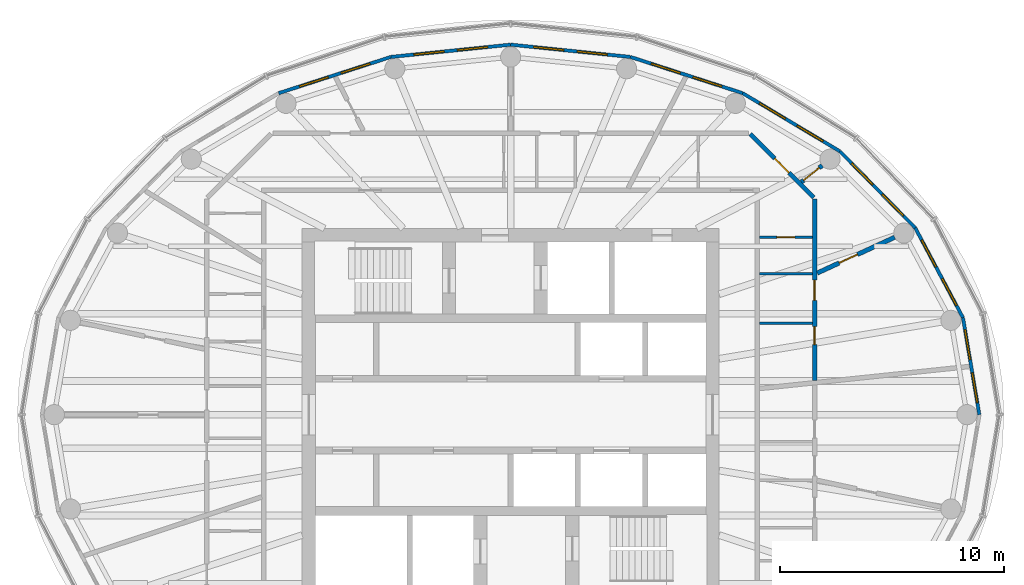
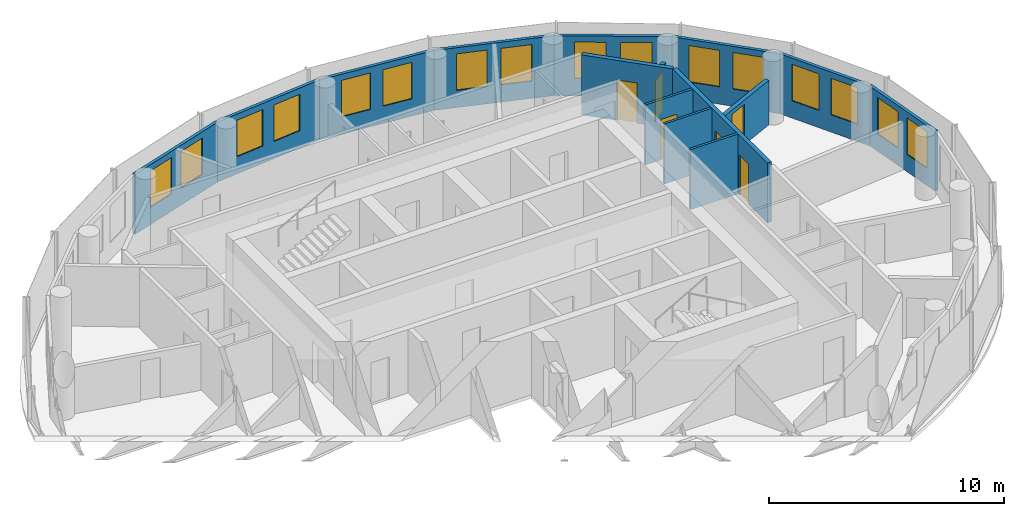
# One storey, part 9 of 11: 16 windows, 15 walls, 6 doors, 22 openings.
"""IFC4 building model written with IfcOpenShell, lengths in metres."""

from ifc_helpers import new_model, si_unit, direction, frame, frame_2d, origin, place, context, subcontext, project, spatial, rectangle, extrude, material, layer, layer_set, type_object, element, fill, save


model = new_model("IFC4")

# Units and contexts
model_context = context("Model", 3, precision=1e-05, world=origin(), true_north=direction((0.0, 1.0)))
body_context = subcontext(model_context, "Body", "Model", "MODEL_VIEW")
ifc_project = project(units=[si_unit("LENGTHUNIT", "METRE"), si_unit("AREAUNIT", "SQUARE_METRE"), si_unit("VOLUMEUNIT", "CUBIC_METRE"), si_unit("PLANEANGLEUNIT", "RADIAN"), si_unit("MASSUNIT", "GRAM", prefix="KILO")], contexts=[model_context])

# Site, building, storey
site_placement = place(None, origin())
site = spatial("IfcSite", under=ifc_project, at=site_placement, CompositionType="ELEMENT")
building_placement = place(site_placement, origin())
building = spatial("IfcBuilding", under=site, at=building_placement, Name="Hankou Lantern Tower", CompositionType="ELEMENT")
storey_placement = place(building_placement, frame((0.0, 0.0, 206.10009765625)))
storey = spatial("IfcBuildingStorey", under=building, at=storey_placement, Name="L55", CompositionType="ELEMENT", Elevation=206.10009765625)

# Wall, openings, windows
ifc_material_1 = material(Name="Aluminium spandrel panel on steel studs", Category="steel")
ifc_layer_1 = layer(ifc_material_1, 0.14990234375)
ifc_layer_set_1 = layer_set([ifc_layer_1], Name="Aluminium spandrel panel on steel studs")
wall_type_1 = type_object("IfcWallType", Name="EW1 INNER SKIN WALL 150", PredefinedType="ELEMENTEDWALL", material=ifc_layer_set_1)
wall_1_placement = place(storey_placement, frame((20.89990234375, 0.0, 0.0), z_axis=(0.0, 0.0, 1.0), x_axis=(-0.166538513568, 0.986034950445, 0.0)))
wall_1 = element("IfcWall", 1, at=wall_1_placement, inside=storey, type_object=wall_type_1, Name="Inner skin R01-R02 L55", PredefinedType="ELEMENTEDWALL", context=body_context, shape_type="SweptSolid", body=[
    extrude(rectangle(XDim=4.384765625, YDim=0.14990234375, at=frame_2d((2.1923828125, 0.0))), origin(), (0.0, 0.0, 1.0), 3.119873046875),
])
opening_1_placement = place(wall_1_placement, frame((0.54248046875, 0.0, 0.89990234375)))
opening_1 = element("IfcOpeningElement", 2, at=opening_1_placement, cuts=wall_1, Name="Opening W4", PredefinedType="OPENING", context=body_context, shape_type="SweptSolid", body=[
    extrude(rectangle(XDim=1.35009765625, YDim=1.89990234375, at=frame_2d((0.675048828125, 0.949951171875))), frame((0.0, 0.0849609375, 0.0), z_axis=(0.0, -1.0, 0.0), x_axis=(1.0, 0.0, 0.0)), (0.0, 0.0, 1.0), 0.169921875),
])
opening_2_placement = place(wall_1_placement, frame((2.492431640625, 0.0, 0.89990234375)))
opening_2 = element("IfcOpeningElement", 3, at=opening_2_placement, cuts=wall_1, Name="Opening W4", PredefinedType="OPENING", context=body_context, shape_type="SweptSolid", body=[
    extrude(rectangle(XDim=1.35009765625, YDim=1.89990234375, at=frame_2d((0.675048828125, 0.949951171875))), frame((0.0, 0.0849609375, 0.0), z_axis=(0.0, -1.0, 0.0), x_axis=(1.0, 0.0, 0.0)), (0.0, 0.0, 1.0), 0.169921875),
])
ifc_material_2 = material(Name="Aluminium framed double glazed window", Category="aluminium")
window_type = type_object("IfcWindowType", Name="W4 SUITE WINDOW 1350X1900", PartitioningType="DOUBLE_PANEL_VERTICAL", PredefinedType="WINDOW", material=ifc_material_2)
window_1_placement = place(opening_1_placement, origin())
window_1 = element("IfcWindow", 4, at=window_1_placement, inside=storey, type_object=window_type, Name="Window R01.1 L55", OverallHeight=1.89990234375, OverallWidth=1.35009765625, PartitioningType="SINGLE_PANEL", PredefinedType="WINDOW", context=body_context, shape_type="SweptSolid", body=[
    extrude(rectangle(XDim=1.35009765625, YDim=1.89990234375, at=frame_2d((0.675048828125, 0.949951171875))), frame((0.0, 0.030029296875, 0.0), z_axis=(0.0, -1.0, 0.0), x_axis=(1.0, 0.0, 0.0)), (0.0, 0.0, 1.0), 0.06005859375),
])
fill(opening_1, window_1)
window_2_placement = place(opening_2_placement, origin())
window_2 = element("IfcWindow", 5, at=window_2_placement, inside=storey, type_object=window_type, Name="Window R01.2 L55", OverallHeight=1.89990234375, OverallWidth=1.35009765625, PartitioningType="SINGLE_PANEL", PredefinedType="WINDOW", context=body_context, shape_type="SweptSolid", body=[
    extrude(rectangle(XDim=1.35009765625, YDim=1.89990234375, at=frame_2d((0.675048828125, 0.949951171875))), frame((0.0, 0.030029296875, 0.0), z_axis=(0.0, -1.0, 0.0), x_axis=(1.0, 0.0, 0.0)), (0.0, 0.0, 1.0), 0.06005859375),
])
fill(opening_2, window_2)

wall_2_placement = place(storey_placement, frame((20.169677734375, 4.323486328125, 0.0), z_axis=(0.0, 0.0, 1.0), x_axis=(-0.469256152955, 0.883062094597, 0.0)))
wall_2 = element("IfcWall", 6, at=wall_2_placement, inside=storey, type_object=wall_type_1, Name="Inner skin R02-R03 L55", PredefinedType="ELEMENTEDWALL", context=body_context, shape_type="SweptSolid", body=[
    extrude(rectangle(XDim=4.539306640625, YDim=0.14990234375, at=frame_2d((2.26953125, 0.0))), origin(), (0.0, 0.0, 1.0), 3.119873046875),
])
opening_3_placement = place(wall_2_placement, frame((0.61962890625, 0.0, 0.89990234375)))
opening_3 = element("IfcOpeningElement", 7, at=opening_3_placement, cuts=wall_2, Name="Opening W4", PredefinedType="OPENING", context=body_context, shape_type="SweptSolid", body=[
    extrude(rectangle(XDim=1.35009765625, YDim=1.89990234375, at=frame_2d((0.675048828125, 0.949951171875))), frame((0.0, 0.0849609375, 0.0), z_axis=(0.0, -1.0, 0.0), x_axis=(1.0, 0.0, 0.0)), (0.0, 0.0, 1.0), 0.169921875),
])
opening_4_placement = place(wall_2_placement, frame((2.569580078125, 0.0, 0.89990234375)))
opening_4 = element("IfcOpeningElement", 8, at=opening_4_placement, cuts=wall_2, Name="Opening W4", PredefinedType="OPENING", context=body_context, shape_type="SweptSolid", body=[
    extrude(rectangle(XDim=1.35009765625, YDim=1.89990234375, at=frame_2d((0.675048828125, 0.949951171875))), frame((0.0, 0.0849609375, 0.0), z_axis=(0.0, -1.0, 0.0), x_axis=(1.0, 0.0, 0.0)), (0.0, 0.0, 1.0), 0.169921875),
])
window_3_placement = place(opening_3_placement, origin())
window_3 = element("IfcWindow", 9, at=window_3_placement, inside=storey, type_object=window_type, Name="Window R02.1 L55", OverallHeight=1.89990234375, OverallWidth=1.35009765625, PartitioningType="SINGLE_PANEL", PredefinedType="WINDOW", context=body_context, shape_type="SweptSolid", body=[
    extrude(rectangle(XDim=1.35009765625, YDim=1.89990234375, at=frame_2d((0.675048828125, 0.949951171875))), frame((0.0, 0.030029296875, 0.0), z_axis=(0.0, -1.0, 0.0), x_axis=(1.0, 0.0, 0.0)), (0.0, 0.0, 1.0), 0.06005859375),
])
fill(opening_3, window_3)
window_4_placement = place(opening_4_placement, origin())
window_4 = element("IfcWindow", 10, at=window_4_placement, inside=storey, type_object=window_type, Name="Window R02.2 L55", OverallHeight=1.89990234375, OverallWidth=1.35009765625, PartitioningType="SINGLE_PANEL", PredefinedType="WINDOW", context=body_context, shape_type="SweptSolid", body=[
    extrude(rectangle(XDim=1.35009765625, YDim=1.89990234375, at=frame_2d((0.675048828125, 0.949951171875))), frame((0.0, 0.030029296875, 0.0), z_axis=(0.0, -1.0, 0.0), x_axis=(1.0, 0.0, 0.0)), (0.0, 0.0, 1.0), 0.06005859375),
])
fill(opening_4, window_4)

wall_3_placement = place(storey_placement, frame((18.03955078125, 8.33203125, 0.0), z_axis=(0.0, 0.0, 1.0), x_axis=(-0.701527379618, 0.712642501993, 0.0)))
wall_3 = element("IfcWall", 11, at=wall_3_placement, inside=storey, type_object=wall_type_1, Name="Inner skin R03-R04 L55", PredefinedType="ELEMENTEDWALL", context=body_context, shape_type="SweptSolid", body=[
    extrude(rectangle(XDim=4.788330078125, YDim=0.14990234375, at=frame_2d((2.39404296875, 0.0))), origin(), (0.0, 0.0, 1.0), 3.119873046875),
])
opening_5_placement = place(wall_3_placement, frame((0.744140625, 0.0, 0.89990234375)))
opening_5 = element("IfcOpeningElement", 12, at=opening_5_placement, cuts=wall_3, Name="Opening W4", PredefinedType="OPENING", context=body_context, shape_type="SweptSolid", body=[
    extrude(rectangle(XDim=1.35009765625, YDim=1.89990234375, at=frame_2d((0.675048828125, 0.949951171875))), frame((0.0, 0.0849609375, 0.0), z_axis=(0.0, -1.0, 0.0), x_axis=(1.0, 0.0, 0.0)), (0.0, 0.0, 1.0), 0.169921875),
])
opening_6_placement = place(wall_3_placement, frame((2.694091796875, 0.0, 0.89990234375)))
opening_6 = element("IfcOpeningElement", 13, at=opening_6_placement, cuts=wall_3, Name="Opening W4", PredefinedType="OPENING", context=body_context, shape_type="SweptSolid", body=[
    extrude(rectangle(XDim=1.35009765625, YDim=1.89990234375, at=frame_2d((0.675048828125, 0.949951171875))), frame((0.0, 0.0849609375, 0.0), z_axis=(0.0, -1.0, 0.0), x_axis=(1.0, 0.0, 0.0)), (0.0, 0.0, 1.0), 0.169921875),
])
window_5_placement = place(opening_5_placement, origin())
window_5 = element("IfcWindow", 14, at=window_5_placement, inside=storey, type_object=window_type, Name="Window R03.1 L55", OverallHeight=1.89990234375, OverallWidth=1.35009765625, PartitioningType="SINGLE_PANEL", PredefinedType="WINDOW", context=body_context, shape_type="SweptSolid", body=[
    extrude(rectangle(XDim=1.35009765625, YDim=1.89990234375, at=frame_2d((0.675048828125, 0.949951171875))), frame((0.0, 0.030029296875, 0.0), z_axis=(0.0, -1.0, 0.0), x_axis=(1.0, 0.0, 0.0)), (0.0, 0.0, 1.0), 0.06005859375),
])
fill(opening_5, window_5)
window_6_placement = place(opening_6_placement, origin())
window_6 = element("IfcWindow", 15, at=window_6_placement, inside=storey, type_object=window_type, Name="Window R03.2 L55", OverallHeight=1.89990234375, OverallWidth=1.35009765625, PartitioningType="SINGLE_PANEL", PredefinedType="WINDOW", context=body_context, shape_type="SweptSolid", body=[
    extrude(rectangle(XDim=1.35009765625, YDim=1.89990234375, at=frame_2d((0.675048828125, 0.949951171875))), frame((0.0, 0.030029296875, 0.0), z_axis=(0.0, -1.0, 0.0), x_axis=(1.0, 0.0, 0.0)), (0.0, 0.0, 1.0), 0.06005859375),
])
fill(opening_6, window_6)

wall_4_placement = place(storey_placement, frame((14.680419921875, 11.744384765625, 0.0), z_axis=(0.0, 0.0, 1.0), x_axis=(-0.85822150553, 0.513279502265, 0.0)))
wall_4 = element("IfcWall", 16, at=wall_4_placement, inside=storey, type_object=wall_type_1, Name="Inner skin R04-R05 L55", PredefinedType="ELEMENTEDWALL", context=body_context, shape_type="SweptSolid", body=[
    extrude(rectangle(XDim=5.050048828125, YDim=0.14990234375, at=frame_2d((2.52490234375, 0.0))), origin(), (0.0, 0.0, 1.0), 3.119873046875),
])
opening_7_placement = place(wall_4_placement, frame((0.875, 0.0, 0.89990234375)))
opening_7 = element("IfcOpeningElement", 17, at=opening_7_placement, cuts=wall_4, Name="Opening W4", PredefinedType="OPENING", context=body_context, shape_type="SweptSolid", body=[
    extrude(rectangle(XDim=1.35009765625, YDim=1.89990234375, at=frame_2d((0.675048828125, 0.949951171875))), frame((0.0, 0.0849609375, 0.0), z_axis=(0.0, -1.0, 0.0), x_axis=(1.0, 0.0, 0.0)), (0.0, 0.0, 1.0), 0.169921875),
])
opening_8_placement = place(wall_4_placement, frame((2.824951171875, 0.0, 0.89990234375)))
opening_8 = element("IfcOpeningElement", 18, at=opening_8_placement, cuts=wall_4, Name="Opening W4", PredefinedType="OPENING", context=body_context, shape_type="SweptSolid", body=[
    extrude(rectangle(XDim=1.35009765625, YDim=1.89990234375, at=frame_2d((0.675048828125, 0.949951171875))), frame((0.0, 0.0849609375, 0.0), z_axis=(0.0, -1.0, 0.0), x_axis=(1.0, 0.0, 0.0)), (0.0, 0.0, 1.0), 0.169921875),
])
window_7_placement = place(opening_7_placement, origin())
window_7 = element("IfcWindow", 19, at=window_7_placement, inside=storey, type_object=window_type, Name="Window R04.1 L55", OverallHeight=1.89990234375, OverallWidth=1.35009765625, PartitioningType="SINGLE_PANEL", PredefinedType="WINDOW", context=body_context, shape_type="SweptSolid", body=[
    extrude(rectangle(XDim=1.35009765625, YDim=1.89990234375, at=frame_2d((0.675048828125, 0.949951171875))), frame((0.0, 0.030029296875, 0.0), z_axis=(0.0, -1.0, 0.0), x_axis=(1.0, 0.0, 0.0)), (0.0, 0.0, 1.0), 0.06005859375),
])
fill(opening_7, window_7)
window_8_placement = place(opening_8_placement, origin())
window_8 = element("IfcWindow", 20, at=window_8_placement, inside=storey, type_object=window_type, Name="Window R04.2 L55", OverallHeight=1.89990234375, OverallWidth=1.35009765625, PartitioningType="SINGLE_PANEL", PredefinedType="WINDOW", context=body_context, shape_type="SweptSolid", body=[
    extrude(rectangle(XDim=1.35009765625, YDim=1.89990234375, at=frame_2d((0.675048828125, 0.949951171875))), frame((0.0, 0.030029296875, 0.0), z_axis=(0.0, -1.0, 0.0), x_axis=(1.0, 0.0, 0.0)), (0.0, 0.0, 1.0), 0.06005859375),
])
fill(opening_8, window_8)

wall_5_placement = place(storey_placement, frame((10.346435546875, 14.33642578125, 0.0), z_axis=(0.0, 0.0, 1.0), x_axis=(-0.951644702515, 0.307200846638, 0.0)))
wall_5 = element("IfcWall", 21, at=wall_5_placement, inside=storey, type_object=wall_type_1, Name="Inner skin R05-R06 L55", PredefinedType="ELEMENTEDWALL", context=body_context, shape_type="SweptSolid", body=[
    extrude(rectangle(XDim=5.2578125, YDim=0.14990234375, at=frame_2d((2.62890625, 0.0))), origin(), (0.0, 0.0, 1.0), 3.119873046875),
])
opening_9_placement = place(wall_5_placement, frame((0.97900390625, 0.0, 0.89990234375)))
opening_9 = element("IfcOpeningElement", 22, at=opening_9_placement, cuts=wall_5, Name="Opening W4", PredefinedType="OPENING", context=body_context, shape_type="SweptSolid", body=[
    extrude(rectangle(XDim=1.35009765625, YDim=1.89990234375, at=frame_2d((0.675048828125, 0.949951171875))), frame((0.0, 0.0849609375, 0.0), z_axis=(0.0, -1.0, 0.0), x_axis=(1.0, 0.0, 0.0)), (0.0, 0.0, 1.0), 0.169921875),
])
opening_10_placement = place(wall_5_placement, frame((2.928955078125, 0.0, 0.89990234375)))
opening_10 = element("IfcOpeningElement", 23, at=opening_10_placement, cuts=wall_5, Name="Opening W4", PredefinedType="OPENING", context=body_context, shape_type="SweptSolid", body=[
    extrude(rectangle(XDim=1.35009765625, YDim=1.89990234375, at=frame_2d((0.675048828125, 0.949951171875))), frame((0.0, 0.0849609375, 0.0), z_axis=(0.0, -1.0, 0.0), x_axis=(1.0, 0.0, 0.0)), (0.0, 0.0, 1.0), 0.169921875),
])
window_9_placement = place(opening_9_placement, origin())
window_9 = element("IfcWindow", 24, at=window_9_placement, inside=storey, type_object=window_type, Name="Window R05.1 L55", OverallHeight=1.89990234375, OverallWidth=1.35009765625, PartitioningType="SINGLE_PANEL", PredefinedType="WINDOW", context=body_context, shape_type="SweptSolid", body=[
    extrude(rectangle(XDim=1.35009765625, YDim=1.89990234375, at=frame_2d((0.675048828125, 0.949951171875))), frame((0.0, 0.030029296875, 0.0), z_axis=(0.0, -1.0, 0.0), x_axis=(1.0, 0.0, 0.0)), (0.0, 0.0, 1.0), 0.06005859375),
])
fill(opening_9, window_9)
window_10_placement = place(opening_10_placement, origin())
window_10 = element("IfcWindow", 25, at=window_10_placement, inside=storey, type_object=window_type, Name="Window R05.2 L55", OverallHeight=1.89990234375, OverallWidth=1.35009765625, PartitioningType="SINGLE_PANEL", PredefinedType="WINDOW", context=body_context, shape_type="SweptSolid", body=[
    extrude(rectangle(XDim=1.35009765625, YDim=1.89990234375, at=frame_2d((0.675048828125, 0.949951171875))), frame((0.0, 0.030029296875, 0.0), z_axis=(0.0, -1.0, 0.0), x_axis=(1.0, 0.0, 0.0)), (0.0, 0.0, 1.0), 0.06005859375),
])
fill(opening_10, window_10)

wall_6_placement = place(storey_placement, frame((5.3427734375, 15.95166015625, 0.0), z_axis=(0.0, 0.0, 1.0), x_axis=(-0.994774574972, 0.102095763818, 0.0)))
wall_6 = element("IfcWall", 26, at=wall_6_placement, inside=storey, type_object=wall_type_1, Name="Inner skin R06-R07 L55", PredefinedType="ELEMENTEDWALL", context=body_context, shape_type="SweptSolid", body=[
    extrude(rectangle(XDim=5.370849609375, YDim=0.14990234375, at=frame_2d((2.685546875, 0.0))), origin(), (0.0, 0.0, 1.0), 3.119873046875),
])
opening_11_placement = place(wall_6_placement, frame((1.035400390625, 0.0, 0.89990234375)))
opening_11 = element("IfcOpeningElement", 27, at=opening_11_placement, cuts=wall_6, Name="Opening W4", PredefinedType="OPENING", context=body_context, shape_type="SweptSolid", body=[
    extrude(rectangle(XDim=1.35009765625, YDim=1.89990234375, at=frame_2d((0.675048828125, 0.949951171875))), frame((0.0, 0.0849609375, 0.0), z_axis=(0.0, -1.0, 0.0), x_axis=(1.0, 0.0, 0.0)), (0.0, 0.0, 1.0), 0.169921875),
])
opening_12_placement = place(wall_6_placement, frame((2.9853515625, 0.0, 0.89990234375)))
opening_12 = element("IfcOpeningElement", 28, at=opening_12_placement, cuts=wall_6, Name="Opening W4", PredefinedType="OPENING", context=body_context, shape_type="SweptSolid", body=[
    extrude(rectangle(XDim=1.35009765625, YDim=1.89990234375, at=frame_2d((0.675048828125, 0.949951171875))), frame((0.0, 0.0849609375, 0.0), z_axis=(0.0, -1.0, 0.0), x_axis=(1.0, 0.0, 0.0)), (0.0, 0.0, 1.0), 0.169921875),
])
window_11_placement = place(opening_11_placement, origin())
window_11 = element("IfcWindow", 29, at=window_11_placement, inside=storey, type_object=window_type, Name="Window R06.1 L55", OverallHeight=1.89990234375, OverallWidth=1.35009765625, PartitioningType="SINGLE_PANEL", PredefinedType="WINDOW", context=body_context, shape_type="SweptSolid", body=[
    extrude(rectangle(XDim=1.35009765625, YDim=1.89990234375, at=frame_2d((0.675048828125, 0.949951171875))), frame((0.0, 0.030029296875, 0.0), z_axis=(0.0, -1.0, 0.0), x_axis=(1.0, 0.0, 0.0)), (0.0, 0.0, 1.0), 0.06005859375),
])
fill(opening_11, window_11)
window_12_placement = place(opening_12_placement, origin())
window_12 = element("IfcWindow", 30, at=window_12_placement, inside=storey, type_object=window_type, Name="Window R06.2 L55", OverallHeight=1.89990234375, OverallWidth=1.35009765625, PartitioningType="SINGLE_PANEL", PredefinedType="WINDOW", context=body_context, shape_type="SweptSolid", body=[
    extrude(rectangle(XDim=1.35009765625, YDim=1.89990234375, at=frame_2d((0.675048828125, 0.949951171875))), frame((0.0, 0.030029296875, 0.0), z_axis=(0.0, -1.0, 0.0), x_axis=(1.0, 0.0, 0.0)), (0.0, 0.0, 1.0), 0.06005859375),
])
fill(opening_12, window_12)

wall_7_placement = place(storey_placement, frame((0.0, 16.5, 0.0), z_axis=(0.0, 0.0, 1.0), x_axis=(-0.994774574972, -0.102095763818, 0.0)))
wall_7 = element("IfcWall", 31, at=wall_7_placement, inside=storey, type_object=wall_type_1, Name="Inner skin R07-R08 L55", PredefinedType="ELEMENTEDWALL", context=body_context, shape_type="SweptSolid", body=[
    extrude(rectangle(XDim=5.370849609375, YDim=0.14990234375, at=frame_2d((2.685546875, 0.0))), origin(), (0.0, 0.0, 1.0), 3.119873046875),
])
opening_13_placement = place(wall_7_placement, frame((1.035400390625, 0.0, 0.89990234375)))
opening_13 = element("IfcOpeningElement", 32, at=opening_13_placement, cuts=wall_7, Name="Opening W4", PredefinedType="OPENING", context=body_context, shape_type="SweptSolid", body=[
    extrude(rectangle(XDim=1.35009765625, YDim=1.89990234375, at=frame_2d((0.675048828125, 0.949951171875))), frame((0.0, 0.0849609375, 0.0), z_axis=(0.0, -1.0, 0.0), x_axis=(1.0, 0.0, 0.0)), (0.0, 0.0, 1.0), 0.169921875),
])
opening_14_placement = place(wall_7_placement, frame((2.9853515625, 0.0, 0.89990234375)))
opening_14 = element("IfcOpeningElement", 33, at=opening_14_placement, cuts=wall_7, Name="Opening W4", PredefinedType="OPENING", context=body_context, shape_type="SweptSolid", body=[
    extrude(rectangle(XDim=1.35009765625, YDim=1.89990234375, at=frame_2d((0.675048828125, 0.949951171875))), frame((0.0, 0.0849609375, 0.0), z_axis=(0.0, -1.0, 0.0), x_axis=(1.0, 0.0, 0.0)), (0.0, 0.0, 1.0), 0.169921875),
])
window_13_placement = place(opening_13_placement, origin())
window_13 = element("IfcWindow", 34, at=window_13_placement, inside=storey, type_object=window_type, Name="Window R07.1 L55", OverallHeight=1.89990234375, OverallWidth=1.35009765625, PartitioningType="SINGLE_PANEL", PredefinedType="WINDOW", context=body_context, shape_type="SweptSolid", body=[
    extrude(rectangle(XDim=1.35009765625, YDim=1.89990234375, at=frame_2d((0.675048828125, 0.949951171875))), frame((0.0, 0.030029296875, 0.0), z_axis=(0.0, -1.0, 0.0), x_axis=(1.0, 0.0, 0.0)), (0.0, 0.0, 1.0), 0.06005859375),
])
fill(opening_13, window_13)
window_14_placement = place(opening_14_placement, origin())
window_14 = element("IfcWindow", 35, at=window_14_placement, inside=storey, type_object=window_type, Name="Window R07.2 L55", OverallHeight=1.89990234375, OverallWidth=1.35009765625, PartitioningType="SINGLE_PANEL", PredefinedType="WINDOW", context=body_context, shape_type="SweptSolid", body=[
    extrude(rectangle(XDim=1.35009765625, YDim=1.89990234375, at=frame_2d((0.675048828125, 0.949951171875))), frame((0.0, 0.030029296875, 0.0), z_axis=(0.0, -1.0, 0.0), x_axis=(1.0, 0.0, 0.0)), (0.0, 0.0, 1.0), 0.06005859375),
])
fill(opening_14, window_14)

wall_8_placement = place(storey_placement, frame((-5.3427734375, 15.95166015625, 0.0), z_axis=(0.0, 0.0, 1.0), x_axis=(-0.951644702515, -0.307200846638, 0.0)))
wall_8 = element("IfcWall", 36, at=wall_8_placement, inside=storey, type_object=wall_type_1, Name="Inner skin R08-R09 L55", PredefinedType="ELEMENTEDWALL", context=body_context, shape_type="SweptSolid", body=[
    extrude(rectangle(XDim=5.2578125, YDim=0.14990234375, at=frame_2d((2.62890625, 0.0))), origin(), (0.0, 0.0, 1.0), 3.119873046875),
])
opening_15_placement = place(wall_8_placement, frame((0.97900390625, 0.0, 0.89990234375)))
opening_15 = element("IfcOpeningElement", 37, at=opening_15_placement, cuts=wall_8, Name="Opening W4", PredefinedType="OPENING", context=body_context, shape_type="SweptSolid", body=[
    extrude(rectangle(XDim=1.35009765625, YDim=1.89990234375, at=frame_2d((0.675048828125, 0.949951171875))), frame((0.0, 0.0849609375, 0.0), z_axis=(0.0, -1.0, 0.0), x_axis=(1.0, 0.0, 0.0)), (0.0, 0.0, 1.0), 0.169921875),
])
opening_16_placement = place(wall_8_placement, frame((2.928955078125, 0.0, 0.89990234375)))
opening_16 = element("IfcOpeningElement", 38, at=opening_16_placement, cuts=wall_8, Name="Opening W4", PredefinedType="OPENING", context=body_context, shape_type="SweptSolid", body=[
    extrude(rectangle(XDim=1.35009765625, YDim=1.89990234375, at=frame_2d((0.675048828125, 0.949951171875))), frame((0.0, 0.0849609375, 0.0), z_axis=(0.0, -1.0, 0.0), x_axis=(1.0, 0.0, 0.0)), (0.0, 0.0, 1.0), 0.169921875),
])
window_15_placement = place(opening_15_placement, origin())
window_15 = element("IfcWindow", 39, at=window_15_placement, inside=storey, type_object=window_type, Name="Window R08.1 L55", OverallHeight=1.89990234375, OverallWidth=1.35009765625, PartitioningType="SINGLE_PANEL", PredefinedType="WINDOW", context=body_context, shape_type="SweptSolid", body=[
    extrude(rectangle(XDim=1.35009765625, YDim=1.89990234375, at=frame_2d((0.675048828125, 0.949951171875))), frame((0.0, 0.030029296875, 0.0), z_axis=(0.0, -1.0, 0.0), x_axis=(1.0, 0.0, 0.0)), (0.0, 0.0, 1.0), 0.06005859375),
])
fill(opening_15, window_15)
window_16_placement = place(opening_16_placement, origin())
window_16 = element("IfcWindow", 40, at=window_16_placement, inside=storey, type_object=window_type, Name="Window R08.2 L55", OverallHeight=1.89990234375, OverallWidth=1.35009765625, PartitioningType="SINGLE_PANEL", PredefinedType="WINDOW", context=body_context, shape_type="SweptSolid", body=[
    extrude(rectangle(XDim=1.35009765625, YDim=1.89990234375, at=frame_2d((0.675048828125, 0.949951171875))), frame((0.0, 0.030029296875, 0.0), z_axis=(0.0, -1.0, 0.0), x_axis=(1.0, 0.0, 0.0)), (0.0, 0.0, 1.0), 0.06005859375),
])
fill(opening_16, window_16)

# Walls
ifc_material_3 = material(Name="Masonry lightweight concrete block", Category="masonry")
ifc_layer_2 = layer(ifc_material_3, 0.1201171875)
ifc_layer_set_2 = layer_set([ifc_layer_2], Name="Masonry lightweight concrete block")
wall_type_2 = type_object("IfcWallType", Name="IW3 BATHROOM WALL 120", PredefinedType="PARTITIONING", material=ifc_layer_set_2)
for number, where, z_axis, x_axis, name in (
    (41, (11.10009765625, 4.08154296875, 0.0), (0.0, 0.0, 1.0), (1.0, 0.0, 0.0), "Box wall 5501 1"),
    (42, (11.10009765625, 6.290283203125, 0.0), (0.0, 0.0, 1.0), (1.0, 0.0, 0.0), "Box wall 5501 2"),
):
    element("IfcWall", number, at=place(storey_placement, frame(where, z_axis=z_axis, x_axis=x_axis)), inside=storey, type_object=wall_type_2, Name=name, PredefinedType="PARTITIONING", context=body_context, shape_type="SweptSolid", body=[
        extrude(rectangle(XDim=2.349853515625, YDim=0.1201171875, at=frame_2d((1.1748046875, 0.0))), origin(), (0.0, 0.0, 1.0), 3.119873046875),
    ])

# Wall, opening, door
wall_9_placement = place(storey_placement, frame((11.10009765625, 7.91748046875, 0.0), z_axis=(0.0, 0.0, 1.0), x_axis=(1.0, 0.0, 0.0)))
wall_9 = element("IfcWall", 43, at=wall_9_placement, inside=storey, type_object=wall_type_2, Name="Box wall 5501 3", PredefinedType="PARTITIONING", context=body_context, shape_type="SweptSolid", body=[
    extrude(rectangle(XDim=2.349853515625, YDim=0.1201171875, at=frame_2d((1.1748046875, 0.0))), origin(), (0.0, 0.0, 1.0), 3.119873046875),
])
opening_17_placement = place(wall_9_placement, frame((0.77001953125, 0.0, 0.0)))
opening_17 = element("IfcOpeningElement", 44, at=opening_17_placement, cuts=wall_9, Name="Opening D3", PredefinedType="OPENING", context=body_context, shape_type="SweptSolid", body=[
    extrude(rectangle(XDim=0.800048828125, YDim=2.10009765625, at=frame_2d((0.39990234375, 1.050048828125))), frame((0.0, 0.070068359375, 0.0), z_axis=(0.0, -1.0, 0.0), x_axis=(1.0, 0.0, 0.0)), (0.0, 0.0, 1.0), 0.14013671875),
])
ifc_material_4 = material(Name="Timber door leaf", Category="wood")
door_type_1 = type_object("IfcDoorType", Name="D3 BATHROOM DOOR 800X2100", OperationType="SINGLE_SWING_LEFT", PredefinedType="DOOR", material=ifc_material_4)
door_1_placement = place(opening_17_placement, origin())
door_1 = element("IfcDoor", 45, at=door_1_placement, inside=storey, type_object=door_type_1, Name="Corner suite 5501 guest WC door", OperationType="SINGLE_SWING_LEFT", OverallHeight=2.10009765625, OverallWidth=0.800048828125, PredefinedType="DOOR", context=body_context, shape_type="SweptSolid", body=[
    extrude(rectangle(XDim=0.800048828125, YDim=2.10009765625, at=frame_2d((0.39990234375, 1.050048828125))), frame((0.0, 0.02490234375, 0.0), z_axis=(0.0, -1.0, 0.0), x_axis=(1.0, 0.0, 0.0)), (0.0, 0.0, 1.0), 0.050048828125),
])
fill(opening_17, door_1)

# Wall, openings, doors
ifc_material_5 = material(Name="Masonry lightweight concrete block", Category="masonry")
ifc_layer_3 = layer(ifc_material_5, 0.199951171875)
ifc_layer_set_3 = layer_set([ifc_layer_3], Name="Masonry lightweight concrete block")
wall_type_3 = type_object("IfcWallType", Name="IW6 SUITE PARTITION 200", PredefinedType="PARTITIONING", material=ifc_layer_set_3)
wall_10_placement = place(storey_placement, frame((13.550048828125, 1.52490234375, 0.0), z_axis=(0.0, 0.0, 1.0), x_axis=(0.0, 1.0, 0.0)))
wall_10 = element("IfcWall", 46, at=wall_10_placement, inside=storey, type_object=wall_type_3, Name="Suite foyer wall 5501", PredefinedType="PARTITIONING", context=body_context, shape_type="SweptSolid", body=[
    extrude(rectangle(XDim=8.083740234375, YDim=0.199951171875, at=frame_2d((4.0419921875, 0.0))), origin(), (0.0, 0.0, 1.0), 3.119873046875),
])
opening_18_placement = place(wall_10_placement, frame((1.5966796875, 0.0, 0.0)))
opening_18 = element("IfcOpeningElement", 47, at=opening_18_placement, cuts=wall_10, Name="Opening D3", PredefinedType="OPENING", context=body_context, shape_type="SweptSolid", body=[
    extrude(rectangle(XDim=0.800048828125, YDim=2.10009765625, at=frame_2d((0.39990234375, 1.050048828125))), frame((0.0, 0.10986328125, 0.0), z_axis=(0.0, -1.0, 0.0), x_axis=(1.0, 0.0, 0.0)), (0.0, 0.0, 1.0), 0.219970703125),
])
opening_19_placement = place(wall_10_placement, frame((3.570068359375, 0.0, 0.0)))
opening_19 = element("IfcOpeningElement", 48, at=opening_19_placement, cuts=wall_10, Name="Opening D27", PredefinedType="OPENING", context=body_context, shape_type="SweptSolid", body=[
    extrude(rectangle(XDim=0.89990234375, YDim=2.10009765625, at=frame_2d((0.449951171875, 1.050048828125))), frame((0.0, 0.10986328125, 0.0), z_axis=(0.0, -1.0, 0.0), x_axis=(1.0, 0.0, 0.0)), (0.0, 0.0, 1.0), 0.219970703125),
])
ifc_material_6 = material(Name="Timber door leaf", Category="wood")
door_type_2 = type_object("IfcDoorType", Name="D27 INTERNAL DOOR 900X2100", OperationType="SINGLE_SWING_LEFT", PredefinedType="DOOR", material=ifc_material_6)
door_2_placement = place(opening_19_placement, origin())
door_2 = element("IfcDoor", 49, at=door_2_placement, inside=storey, type_object=door_type_2, Name="Corner suite 5501 walk-in wardrobe door", OperationType="SINGLE_SWING_RIGHT", OverallHeight=2.10009765625, OverallWidth=0.89990234375, PredefinedType="DOOR", context=body_context, shape_type="SweptSolid", body=[
    extrude(rectangle(XDim=0.89990234375, YDim=2.10009765625, at=frame_2d((0.449951171875, 1.050048828125))), frame((0.0, 0.02490234375, 0.0), z_axis=(0.0, -1.0, 0.0), x_axis=(1.0, 0.0, 0.0)), (0.0, 0.0, 1.0), 0.050048828125),
])
fill(opening_19, door_2)
door_3_placement = place(opening_18_placement, origin())
door_3 = element("IfcDoor", 50, at=door_3_placement, inside=storey, type_object=door_type_1, Name="Corner suite 5501 bathroom door", OperationType="SINGLE_SWING_RIGHT", OverallHeight=2.10009765625, OverallWidth=0.800048828125, PredefinedType="DOOR", context=body_context, shape_type="SweptSolid", body=[
    extrude(rectangle(XDim=0.800048828125, YDim=2.10009765625, at=frame_2d((0.39990234375, 1.050048828125))), frame((0.0, 0.02490234375, 0.0), z_axis=(0.0, -1.0, 0.0), x_axis=(1.0, 0.0, 0.0)), (0.0, 0.0, 1.0), 0.050048828125),
])
fill(opening_18, door_3)

# Wall, opening, door
wall_11_placement = place(storey_placement, frame((13.520751953125, 9.67919921875, 0.0), z_axis=(0.0, 0.0, 1.0), x_axis=(-0.707106781187, 0.707106781187, 0.0)))
wall_11 = element("IfcWall", 51, at=wall_11_placement, inside=storey, type_object=wall_type_3, Name="Suite foyer wall 5501", PredefinedType="PARTITIONING", context=body_context, shape_type="SweptSolid", body=[
    extrude(rectangle(XDim=4.0185546875, YDim=0.199951171875, at=frame_2d((2.00927734375, 0.0))), origin(), (0.0, 0.0, 1.0), 3.119873046875),
])
opening_20_placement = place(wall_11_placement, frame((1.570068359375, 0.0, 0.0)))
opening_20 = element("IfcOpeningElement", 52, at=opening_20_placement, cuts=wall_11, Name="Opening D27", PredefinedType="OPENING", context=body_context, shape_type="SweptSolid", body=[
    extrude(rectangle(XDim=0.89990234375, YDim=2.10009765625, at=frame_2d((0.449951171875, 1.050048828125))), frame((0.0, 0.10986328125, 0.0), z_axis=(0.0, -1.0, 0.0), x_axis=(1.0, 0.0, 0.0)), (0.0, 0.0, 1.0), 0.219970703125),
])
door_4_placement = place(opening_20_placement, origin())
door_4 = element("IfcDoor", 53, at=door_4_placement, inside=storey, type_object=door_type_2, Name="Corner suite 5501 living room door", OperationType="SINGLE_SWING_RIGHT", OverallHeight=2.10009765625, OverallWidth=0.89990234375, PredefinedType="DOOR", context=body_context, shape_type="SweptSolid", body=[
    extrude(rectangle(XDim=0.89990234375, YDim=2.10009765625, at=frame_2d((0.449951171875, 1.050048828125))), frame((0.0, 0.02490234375, 0.0), z_axis=(0.0, -1.0, 0.0), x_axis=(1.0, 0.0, 0.0)), (0.0, 0.0, 1.0), 0.050048828125),
])
fill(opening_20, door_4)

wall_12_placement = place(storey_placement, frame((13.67724609375, 6.317138671875, 0.0), z_axis=(0.0, 0.0, 1.0), x_axis=(0.907825704695, 0.419347695708, 0.0)))
wall_12 = element("IfcWall", 54, at=wall_12_placement, inside=storey, type_object=wall_type_3, Name="Suite partition R03", PredefinedType="PARTITIONING", context=body_context, shape_type="SweptSolid", body=[
    extrude(rectangle(XDim=3.79638671875, YDim=0.199951171875, at=frame_2d((1.898193359375, 0.0))), origin(), (0.0, 0.0, 1.0), 2.31982421875),
])
opening_21_placement = place(wall_12_placement, frame((1.070068359375, 0.0, 0.0)))
opening_21 = element("IfcOpeningElement", 55, at=opening_21_placement, cuts=wall_12, Name="Opening D27", PredefinedType="OPENING", context=body_context, shape_type="SweptSolid", body=[
    extrude(rectangle(XDim=0.89990234375, YDim=2.10009765625, at=frame_2d((0.449951171875, 1.050048828125))), frame((0.0, 0.10986328125, 0.0), z_axis=(0.0, -1.0, 0.0), x_axis=(1.0, 0.0, 0.0)), (0.0, 0.0, 1.0), 0.219970703125),
])
door_5_placement = place(opening_21_placement, origin())
door_5 = element("IfcDoor", 56, at=door_5_placement, inside=storey, type_object=door_type_2, Name="Corner suite 5501 dining room door", OperationType="SINGLE_SWING_LEFT", OverallHeight=2.10009765625, OverallWidth=0.89990234375, PredefinedType="DOOR", context=body_context, shape_type="SweptSolid", body=[
    extrude(rectangle(XDim=0.89990234375, YDim=2.10009765625, at=frame_2d((0.449951171875, 1.050048828125))), frame((0.0, 0.02490234375, 0.0), z_axis=(0.0, -1.0, 0.0), x_axis=(1.0, 0.0, 0.0)), (0.0, 0.0, 1.0), 0.050048828125),
])
fill(opening_21, door_5)

wall_13_placement = place(storey_placement, frame((12.967529296875, 10.3740234375, 0.0), z_axis=(0.0, 0.0, 1.0), x_axis=(0.780888968944, 0.624669847345, 0.0)))
wall_13 = element("IfcWall", 57, at=wall_13_placement, inside=storey, type_object=wall_type_3, Name="Suite partition R04", PredefinedType="PARTITIONING", context=body_context, shape_type="SweptSolid", body=[
    extrude(rectangle(XDim=1.181396484375, YDim=0.199951171875, at=frame_2d((0.5908203125, 0.0))), origin(), (0.0, 0.0, 1.0), 2.419921875),
])
opening_22_placement = place(wall_13_placement, frame((0.1201171875, 0.0, 0.0)))
opening_22 = element("IfcOpeningElement", 58, at=opening_22_placement, cuts=wall_13, Name="Opening D27", PredefinedType="OPENING", context=body_context, shape_type="SweptSolid", body=[
    extrude(rectangle(XDim=0.89990234375, YDim=2.10009765625, at=frame_2d((0.449951171875, 1.050048828125))), frame((0.0, 0.10986328125, 0.0), z_axis=(0.0, -1.0, 0.0), x_axis=(1.0, 0.0, 0.0)), (0.0, 0.0, 1.0), 0.219970703125),
])
door_6_placement = place(opening_22_placement, origin())
door_6 = element("IfcDoor", 59, at=door_6_placement, inside=storey, type_object=door_type_2, Name="Corner suite 5501 dining room door", OperationType="SINGLE_SWING_LEFT", OverallHeight=2.10009765625, OverallWidth=0.89990234375, PredefinedType="DOOR", context=body_context, shape_type="SweptSolid", body=[
    extrude(rectangle(XDim=0.89990234375, YDim=2.10009765625, at=frame_2d((0.449951171875, 1.050048828125))), frame((0.0, 0.02490234375, 0.0), z_axis=(0.0, -1.0, 0.0), x_axis=(1.0, 0.0, 0.0)), (0.0, 0.0, 1.0), 0.050048828125),
])
fill(opening_22, door_6)

save(model, "model.ifc")
